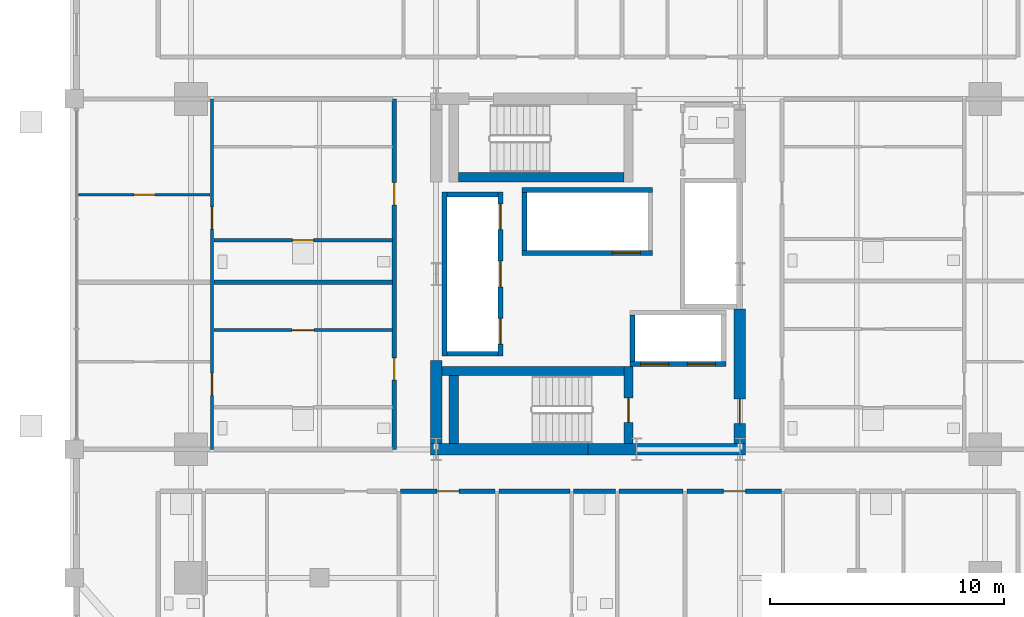
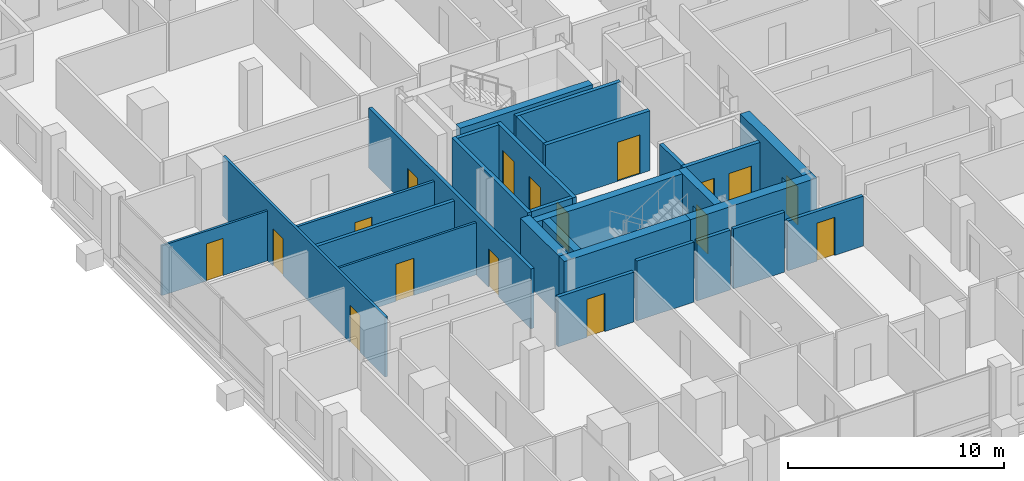
# One storey, part 18 of 24: 28 walls, 17 doors, 17 openings.
"""IFC4 building model written with IfcOpenShell, lengths in metres."""

from ifc_helpers import new_model, si_unit, direction, frame, frame_2d, origin, place, context, subcontext, project, spatial, rectangle, extrude, material, layer, layer_set, type_object, element, fill, save


model = new_model("IFC4")

# Units and contexts
model_context = context("Model", 3, precision=1e-05, world=origin(), true_north=direction((0.0, 1.0)))
body_context = subcontext(model_context, "Body", "Model", "MODEL_VIEW")
ifc_project = project(units=[si_unit("LENGTHUNIT", "METRE"), si_unit("AREAUNIT", "SQUARE_METRE"), si_unit("VOLUMEUNIT", "CUBIC_METRE"), si_unit("PLANEANGLEUNIT", "RADIAN"), si_unit("MASSUNIT", "GRAM", prefix="KILO")], contexts=[model_context])

# Site, building, storey
site_placement = place(None, origin())
site = spatial("IfcSite", under=ifc_project, at=site_placement, CompositionType="ELEMENT")
building_placement = place(site_placement, origin())
building = spatial("IfcBuilding", under=site, at=building_placement, Name="Barlavira Tower and Art Museum", CompositionType="ELEMENT")
storey_placement = place(building_placement, frame((0.0, 0.0, 32.39990234375)))
storey = spatial("IfcBuildingStorey", under=building, at=storey_placement, Name="L06", CompositionType="ELEMENT", Elevation=32.39990234375)

# Wall, opening, door
ifc_material_1 = material(Name="Gypsum acoustic stud partition", Category="gypsum")
ifc_layer_1 = layer(ifc_material_1, 0.1201171875, Name="Gypsum acoustic stud partition")
ifc_layer_set_1 = layer_set([ifc_layer_1], Name="Gypsum acoustic stud partition")
wall_type_1 = type_object("IfcWallType", Name="Apartment Internal Acoustic Partition 120", PredefinedType="PARTITIONING", material=ifc_layer_set_1)
wall_1_placement = place(storey_placement, frame((-16.02001953125, -2.39990234375, 0.0), z_axis=(0.0, 0.0, 1.0), x_axis=(1.0, 0.0, 0.0)))
wall_1 = element("IfcWall", 1, at=wall_1_placement, inside=storey, type_object=wall_type_1, Name="L06 Partition Wall 66", PredefinedType="PARTITIONING", context=body_context, shape_type="SweptSolid", body=[
    extrude(rectangle(XDim=7.64013671875, YDim=0.1201171875, at=frame_2d((3.820068359375, 0.0))), origin(), (0.0, 0.0, 1.0), 2.947998046875),
])
opening_1_placement = place(wall_1_placement, frame((3.344970703125, 0.0, 0.0)))
opening_1 = element("IfcOpeningElement", 2, at=opening_1_placement, cuts=wall_1, Name="Opening D-02", PredefinedType="OPENING", context=body_context, shape_type="SweptSolid", body=[
    extrude(rectangle(XDim=0.949951171875, YDim=2.10009765625, at=frame_2d((0.47509765625, 1.050048828125))), frame((0.0, 0.070068359375, 0.0), z_axis=(0.0, -1.0, 0.0), x_axis=(1.0, 0.0, 0.0)), (0.0, 0.0, 1.0), 0.14013671875),
])
ifc_material_2 = material(Name="Engineered coastal hardwood", Category="wood")
door_type_1 = type_object("IfcDoorType", Name="Living and Salon Glazed-Leaf Door 950x2100", OperationType="NOTDEFINED", PredefinedType="DOOR", material=ifc_material_2)
door_1_placement = place(opening_1_placement, origin())
door_1 = element("IfcDoor", 3, at=door_1_placement, inside=storey, type_object=door_type_1, Name="Apartment W1 Kitchen Door", OperationType="SINGLE_SWING_LEFT", OverallHeight=2.10009765625, OverallWidth=0.949951171875, PredefinedType="DOOR", context=body_context, shape_type="SweptSolid", body=[
    extrude(rectangle(XDim=0.949951171875, YDim=2.10009765625, at=frame_2d((0.47509765625, 1.050048828125))), frame((0.0, 0.02490234375, 0.0), z_axis=(0.0, -1.0, 0.0), x_axis=(1.0, 0.0, 0.0)), (0.0, 0.0, 1.0), 0.050048828125),
])
fill(opening_1, door_1)

wall_2_placement = place(storey_placement, frame((-21.820068359375, 3.39990234375, 0.0), z_axis=(0.0, 0.0, 1.0), x_axis=(1.0, 0.0, 0.0)))
wall_2 = element("IfcWall", 4, at=wall_2_placement, inside=storey, type_object=wall_type_1, Name="L06 Partition Wall 74", PredefinedType="PARTITIONING", context=body_context, shape_type="SweptSolid", body=[
    extrude(rectangle(XDim=5.64013671875, YDim=0.1201171875, at=frame_2d((2.820068359375, 0.0))), origin(), (0.0, 0.0, 1.0), 2.816162109375),
])
opening_2_placement = place(wall_2_placement, frame((2.3701171875, 0.0, 0.0)))
opening_2 = element("IfcOpeningElement", 5, at=opening_2_placement, cuts=wall_2, Name="Opening D-01", PredefinedType="OPENING", context=body_context, shape_type="SweptSolid", body=[
    extrude(rectangle(XDim=0.89990234375, YDim=2.10009765625, at=frame_2d((0.449951171875, 1.050048828125))), frame((0.0, 0.070068359375, 0.0), z_axis=(0.0, -1.0, 0.0), x_axis=(1.0, 0.0, 0.0)), (0.0, 0.0, 1.0), 0.14013671875),
])
door_type_2 = type_object("IfcDoorType", Name="Internal Bedroom Timber Flush Door 900x2100", OperationType="NOTDEFINED", PredefinedType="DOOR", material=ifc_material_2)
door_2_placement = place(opening_2_placement, origin())
door_2 = element("IfcDoor", 6, at=door_2_placement, inside=storey, type_object=door_type_2, Name="Apartment W2 Bedroom 1 Door", OperationType="SINGLE_SWING_RIGHT", OverallHeight=2.10009765625, OverallWidth=0.89990234375, PredefinedType="DOOR", context=body_context, shape_type="SweptSolid", body=[
    extrude(rectangle(XDim=0.89990234375, YDim=2.10009765625, at=frame_2d((0.449951171875, 1.050048828125))), frame((0.0, 0.02490234375, 0.0), z_axis=(0.0, -1.0, 0.0), x_axis=(1.0, 0.0, 0.0)), (0.0, 0.0, 1.0), 0.050048828125),
])
fill(opening_2, door_2)

# Walls
ifc_material_3 = material(Name="Concrete C60", Category="concrete")
ifc_layer_2 = layer(ifc_material_3, 0.5, Name="Concrete C60")
ifc_layer_set_2 = layer_set([ifc_layer_2], Name="Concrete C60")
wall_type_2 = type_object("IfcWallType", Name="Core Structural Shear Wall 500 Concrete C60", PredefinedType="SHEAR", material=ifc_layer_set_2)
for number, where, z_axis, x_axis, name in (
    (7, (-6.75, -7.5, 0.0), (0.0, 0.0, 1.0), (1.0, 0.0, 0.0), "L06 Core Shear Wall CS-SW"),
    (8, (0.0, -7.5, 0.0), (0.0, 0.0, 1.0), (1.0, 0.0, 0.0), "L06 Core Shear Wall CS-SE"),
):
    element("IfcWall", number, at=place(storey_placement, frame(where, z_axis=z_axis, x_axis=x_axis)), inside=storey, type_object=wall_type_2, Name=name, PredefinedType="SHEAR", context=body_context, shape_type="SweptSolid", body=[
        extrude(rectangle(XDim=6.75, YDim=0.5, at=frame_2d((3.375, 0.0))), origin(), (0.0, 0.0, 1.0), 3.380126953125),
    ])
wall_3_placement = place(storey_placement, frame((-6.5, -7.25, 0.0), z_axis=(0.0, 0.0, 1.0), x_axis=(0.0, 1.0, 0.0)))
element("IfcWall", 9, at=wall_3_placement, inside=storey, type_object=wall_type_2, Name="L06 Core Shear Wall CS-W1", PredefinedType="SHEAR", context=body_context, shape_type="SweptSolid", body=[
    extrude(rectangle(XDim=3.550048828125, YDim=0.5, at=frame_2d((1.77490234375, 0.0))), origin(), (0.0, 0.0, 1.0), 3.380126953125),
])

# Wall, opening, door
wall_4_placement = place(storey_placement, frame((6.5, -7.25, 0.0), z_axis=(0.0, 0.0, 1.0), x_axis=(0.0, 1.0, 0.0)))
wall_4 = element("IfcWall", 10, at=wall_4_placement, inside=storey, type_object=wall_type_2, Name="L06 Core Shear Wall CS-E1", PredefinedType="SHEAR", context=body_context, shape_type="SweptSolid", body=[
    extrude(rectangle(XDim=5.75, YDim=0.5, at=frame_2d((2.875, 0.0))), origin(), (0.0, 0.0, 1.0), 3.380126953125),
])
opening_3_placement = place(wall_4_placement, frame((0.85009765625, 0.0, 0.0)))
opening_3 = element("IfcOpeningElement", 11, at=opening_3_placement, cuts=wall_4, Name="Opening FD-90", PredefinedType="OPENING", context=body_context, shape_type="SweptSolid", body=[
    extrude(rectangle(XDim=1.050048828125, YDim=2.14990234375, at=frame_2d((0.52490234375, 1.074951171875))), frame((0.0, 0.260009765625, 0.0), z_axis=(0.0, -1.0, 0.0), x_axis=(1.0, 0.0, 0.0)), (0.0, 0.0, 1.0), 0.52001953125),
])
ifc_material_4 = material(Name="Brushed stainless steel", Category="steel")
door_type_3 = type_object("IfcDoorType", Name="Stair and Refuge Fire Door 1050x2150 FD90S", OperationType="NOTDEFINED", PredefinedType="DOOR", material=ifc_material_4)
door_3_placement = place(opening_3_placement, origin())
door_3 = element("IfcDoor", 12, at=door_3_placement, inside=storey, type_object=door_type_3, Name="L06 Firefighting Lobby Entry Fire Door", OperationType="SINGLE_SWING_LEFT", OverallHeight=2.14990234375, OverallWidth=1.050048828125, PredefinedType="DOOR", context=body_context, shape_type="SweptSolid", body=[
    extrude(rectangle(XDim=1.050048828125, YDim=2.14990234375, at=frame_2d((0.52490234375, 1.074951171875))), frame((0.0, 0.02490234375, 0.0), z_axis=(0.0, -1.0, 0.0), x_axis=(1.0, 0.0, 0.0)), (0.0, 0.0, 1.0), 0.050048828125),
])
fill(opening_3, door_3)

# Wall, openings, doors
ifc_material_5 = material(Name="Autoclaved aerated concrete masonry", Category="masonry")
ifc_layer_3 = layer(ifc_material_5, 0.199951171875, Name="Autoclaved aerated concrete masonry")
ifc_layer_set_3 = layer_set([ifc_layer_3], Name="Autoclaved aerated concrete masonry")
wall_type_3 = type_object("IfcWallType", Name="Fire Compartment and Shaft Wall 200", PredefinedType="SOLIDWALL", material=ifc_layer_set_3)
wall_5_placement = place(storey_placement, frame((-3.75, -3.510009765625, 0.0), z_axis=(0.0, 0.0, 1.0), x_axis=(0.0, 1.0, 0.0)))
wall_5 = element("IfcWall", 13, at=wall_5_placement, inside=storey, type_object=wall_type_3, Name="L06 Low-Rise Lift Front Shaft Wall", PredefinedType="SOLIDWALL", context=body_context, shape_type="SweptSolid", body=[
    extrude(rectangle(XDim=7.02001953125, YDim=0.199951171875, at=frame_2d((3.510009765625, 0.0))), origin(), (0.0, 0.0, 1.0), 3.380126953125),
])
opening_4_placement = place(wall_5_placement, frame((0.510009765625, 0.0, 0.0)))
opening_4 = element("IfcOpeningElement", 14, at=opening_4_placement, cuts=wall_5, Name="Opening LD-P", PredefinedType="OPENING", context=body_context, shape_type="SweptSolid", body=[
    extrude(rectangle(XDim=1.10009765625, YDim=2.14990234375, at=frame_2d((0.550048828125, 1.074951171875))), frame((0.0, 0.10986328125, 0.0), z_axis=(0.0, -1.0, 0.0), x_axis=(1.0, 0.0, 0.0)), (0.0, 0.0, 1.0), 0.219970703125),
])
opening_5_placement = place(wall_5_placement, frame((2.9599609375, 0.0, 0.0)))
opening_5 = element("IfcOpeningElement", 15, at=opening_5_placement, cuts=wall_5, Name="Opening LD-P", PredefinedType="OPENING", context=body_context, shape_type="SweptSolid", body=[
    extrude(rectangle(XDim=1.10009765625, YDim=2.14990234375, at=frame_2d((0.550048828125, 1.074951171875))), frame((0.0, 0.10986328125, 0.0), z_axis=(0.0, -1.0, 0.0), x_axis=(1.0, 0.0, 0.0)), (0.0, 0.0, 1.0), 0.219970703125),
])
opening_6_placement = place(wall_5_placement, frame((5.409912109375, 0.0, 0.0)))
opening_6 = element("IfcOpeningElement", 16, at=opening_6_placement, cuts=wall_5, Name="Opening LD-P", PredefinedType="OPENING", context=body_context, shape_type="SweptSolid", body=[
    extrude(rectangle(XDim=1.10009765625, YDim=2.14990234375, at=frame_2d((0.550048828125, 1.074951171875))), frame((0.0, 0.10986328125, 0.0), z_axis=(0.0, -1.0, 0.0), x_axis=(1.0, 0.0, 0.0)), (0.0, 0.0, 1.0), 0.219970703125),
])
door_type_4 = type_object("IfcDoorType", Name="Passenger Lift Sliding Landing Door 1100x2150 FD60", OperationType="NOTDEFINED", PredefinedType="DOOR", material=ifc_material_4)
door_4_placement = place(opening_4_placement, origin())
door_4 = element("IfcDoor", 17, at=door_4_placement, inside=storey, type_object=door_type_4, Name="L06 Lift PL1 Sliding Landing Door", OperationType="DOUBLE_DOOR_SLIDING", OverallHeight=2.14990234375, OverallWidth=1.10009765625, PredefinedType="DOOR", context=body_context, shape_type="SweptSolid", body=[
    extrude(rectangle(XDim=1.10009765625, YDim=2.14990234375, at=frame_2d((0.550048828125, 1.074951171875))), frame((0.0, 0.02490234375, 0.0), z_axis=(0.0, -1.0, 0.0), x_axis=(1.0, 0.0, 0.0)), (0.0, 0.0, 1.0), 0.050048828125),
])
fill(opening_4, door_4)
door_5_placement = place(opening_5_placement, origin())
door_5 = element("IfcDoor", 18, at=door_5_placement, inside=storey, type_object=door_type_4, Name="L06 Lift PL2 Sliding Landing Door", OperationType="DOUBLE_DOOR_SLIDING", OverallHeight=2.14990234375, OverallWidth=1.10009765625, PredefinedType="DOOR", context=body_context, shape_type="SweptSolid", body=[
    extrude(rectangle(XDim=1.10009765625, YDim=2.14990234375, at=frame_2d((0.550048828125, 1.074951171875))), frame((0.0, 0.02490234375, 0.0), z_axis=(0.0, -1.0, 0.0), x_axis=(1.0, 0.0, 0.0)), (0.0, 0.0, 1.0), 0.050048828125),
])
fill(opening_5, door_5)
door_6_placement = place(opening_6_placement, origin())
door_6 = element("IfcDoor", 19, at=door_6_placement, inside=storey, type_object=door_type_4, Name="L06 Lift PL3 Sliding Landing Door", OperationType="DOUBLE_DOOR_SLIDING", OverallHeight=2.14990234375, OverallWidth=1.10009765625, PredefinedType="DOOR", context=body_context, shape_type="SweptSolid", body=[
    extrude(rectangle(XDim=1.10009765625, YDim=2.14990234375, at=frame_2d((0.550048828125, 1.074951171875))), frame((0.0, 0.02490234375, 0.0), z_axis=(0.0, -1.0, 0.0), x_axis=(1.0, 0.0, 0.0)), (0.0, 0.0, 1.0), 0.050048828125),
])
fill(opening_6, door_6)

# Walls
wall_6_placement = place(storey_placement, frame((-6.14990234375, -3.510009765625, 0.0), z_axis=(0.0, 0.0, 1.0), x_axis=(0.0, 1.0, 0.0)))
element("IfcWall", 20, at=wall_6_placement, inside=storey, type_object=wall_type_3, Name="L06 Low-Rise Lift Back Shaft Wall", PredefinedType="SOLIDWALL", context=body_context, shape_type="SweptSolid", body=[
    extrude(rectangle(XDim=7.02001953125, YDim=0.199951171875, at=frame_2d((3.510009765625, 0.0))), origin(), (0.0, 0.0, 1.0), 3.380126953125),
])
for number, where, z_axis, x_axis, name in (
    (21, (-6.050048828125, -3.409912109375, 0.0), (0.0, 0.0, 1.0), (1.0, 0.0, 0.0), "L06 Low-Rise Lift South Shaft Wall"),
    (22, (-6.050048828125, 3.409912109375, 0.0), (0.0, 0.0, 1.0), (1.0, 0.0, 0.0), "L06 Low-Rise Lift North Shaft Wall"),
):
    element("IfcWall", number, at=place(storey_placement, frame(where, z_axis=z_axis, x_axis=x_axis)), inside=storey, type_object=wall_type_3, Name=name, PredefinedType="SOLIDWALL", context=body_context, shape_type="SweptSolid", body=[
        extrude(rectangle(XDim=2.199951171875, YDim=0.199951171875, at=frame_2d((1.10009765625, 0.0))), origin(), (0.0, 0.0, 1.0), 3.380126953125),
    ])

# Wall, opening, door
wall_7_placement = place(storey_placement, frame((-2.820068359375, 0.89990234375, 0.0), z_axis=(0.0, 0.0, 1.0), x_axis=(1.0, 0.0, 0.0)))
wall_7 = element("IfcWall", 23, at=wall_7_placement, inside=storey, type_object=wall_type_3, Name="L06 High-Rise & Service Lift Front Wall", PredefinedType="SOLIDWALL", context=body_context, shape_type="SweptSolid", body=[
    extrude(rectangle(XDim=5.580078125, YDim=0.199951171875, at=frame_2d((2.7900390625, 0.0))), origin(), (0.0, 0.0, 1.0), 3.380126953125),
])
opening_7_placement = place(wall_7_placement, frame((3.860107421875, 0.0, 0.0)))
opening_7 = element("IfcOpeningElement", 24, at=opening_7_placement, cuts=wall_7, Name="Opening LD-F", PredefinedType="OPENING", context=body_context, shape_type="SweptSolid", body=[
    extrude(rectangle(XDim=1.199951171875, YDim=2.199951171875, at=frame_2d((0.60009765625, 1.10009765625))), frame((0.0, 0.10986328125, 0.0), z_axis=(0.0, -1.0, 0.0), x_axis=(1.0, 0.0, 0.0)), (0.0, 0.0, 1.0), 0.219970703125),
])
door_type_5 = type_object("IfcDoorType", Name="Firefighting and Service Lift Sliding Door 1200x2200 FD120", OperationType="NOTDEFINED", PredefinedType="DOOR", material=ifc_material_4)
door_7_placement = place(opening_7_placement, origin())
door_7 = element("IfcDoor", 25, at=door_7_placement, inside=storey, type_object=door_type_5, Name="L06 Stretcher Service Lift SL1 Sliding Door", OperationType="DOUBLE_DOOR_SLIDING", OverallHeight=2.199951171875, OverallWidth=1.199951171875, PredefinedType="DOOR", context=body_context, shape_type="SweptSolid", body=[
    extrude(rectangle(XDim=1.199951171875, YDim=2.199951171875, at=frame_2d((0.60009765625, 1.10009765625))), frame((0.0, 0.02490234375, 0.0), z_axis=(0.0, -1.0, 0.0), x_axis=(1.0, 0.0, 0.0)), (0.0, 0.0, 1.0), 0.050048828125),
])
fill(opening_7, door_7)

# Walls
wall_8_placement = place(storey_placement, frame((-2.820068359375, 3.60009765625, 0.0), z_axis=(0.0, 0.0, 1.0), x_axis=(1.0, 0.0, 0.0)))
element("IfcWall", 26, at=wall_8_placement, inside=storey, type_object=wall_type_3, Name="L06 High-Rise & Service Lift Back Wall", PredefinedType="SOLIDWALL", context=body_context, shape_type="SweptSolid", body=[
    extrude(rectangle(XDim=5.580078125, YDim=0.199951171875, at=frame_2d((2.7900390625, 0.0))), origin(), (0.0, 0.0, 1.0), 3.380126953125),
])
wall_9_placement = place(storey_placement, frame((-2.719970703125, 1.0, 0.0), z_axis=(0.0, 0.0, 1.0), x_axis=(0.0, 1.0, 0.0)))
element("IfcWall", 27, at=wall_9_placement, inside=storey, type_object=wall_type_3, Name="L06 High-Rise & Service Lift West Wall", PredefinedType="SOLIDWALL", context=body_context, shape_type="SweptSolid", body=[
    extrude(rectangle(XDim=2.5, YDim=0.199951171875, at=frame_2d((1.25, 0.0))), origin(), (0.0, 0.0, 1.0), 3.380126953125),
])

# Wall, openings, doors
wall_10_placement = place(storey_placement, frame((1.800048828125, -3.85009765625, 0.0), z_axis=(0.0, 0.0, 1.0), x_axis=(1.0, 0.0, 0.0)))
wall_10 = element("IfcWall", 28, at=wall_10_placement, inside=storey, type_object=wall_type_3, Name="L06 Firefighting Lift Front Shaft Wall", PredefinedType="SOLIDWALL", context=body_context, shape_type="SweptSolid", body=[
    extrude(rectangle(XDim=4.099853515625, YDim=0.199951171875, at=frame_2d((2.0498046875, 0.0))), origin(), (0.0, 0.0, 1.0), 3.380126953125),
])
opening_8_placement = place(wall_10_placement, frame((0.449951171875, 0.0, 0.0)))
opening_8 = element("IfcOpeningElement", 29, at=opening_8_placement, cuts=wall_10, Name="Opening LD-F", PredefinedType="OPENING", context=body_context, shape_type="SweptSolid", body=[
    extrude(rectangle(XDim=1.199951171875, YDim=2.199951171875, at=frame_2d((0.60009765625, 1.10009765625))), frame((0.0, 0.10986328125, 0.0), z_axis=(0.0, -1.0, 0.0), x_axis=(1.0, 0.0, 0.0)), (0.0, 0.0, 1.0), 0.219970703125),
])
opening_9_placement = place(wall_10_placement, frame((2.449951171875, 0.0, 0.0)))
opening_9 = element("IfcOpeningElement", 30, at=opening_9_placement, cuts=wall_10, Name="Opening LD-F", PredefinedType="OPENING", context=body_context, shape_type="SweptSolid", body=[
    extrude(rectangle(XDim=1.199951171875, YDim=2.199951171875, at=frame_2d((0.60009765625, 1.10009765625))), frame((0.0, 0.10986328125, 0.0), z_axis=(0.0, -1.0, 0.0), x_axis=(1.0, 0.0, 0.0)), (0.0, 0.0, 1.0), 0.219970703125),
])
door_8_placement = place(opening_8_placement, origin())
door_8 = element("IfcDoor", 31, at=door_8_placement, inside=storey, type_object=door_type_5, Name="L06 Firefighting Lift FF1 Sliding Door", OperationType="DOUBLE_DOOR_SLIDING", OverallHeight=2.199951171875, OverallWidth=1.199951171875, PredefinedType="DOOR", context=body_context, shape_type="SweptSolid", body=[
    extrude(rectangle(XDim=1.199951171875, YDim=2.199951171875, at=frame_2d((0.60009765625, 1.10009765625))), frame((0.0, 0.02490234375, 0.0), z_axis=(0.0, -1.0, 0.0), x_axis=(1.0, 0.0, 0.0)), (0.0, 0.0, 1.0), 0.050048828125),
])
fill(opening_8, door_8)
door_9_placement = place(opening_9_placement, origin())
door_9 = element("IfcDoor", 32, at=door_9_placement, inside=storey, type_object=door_type_5, Name="L06 Firefighting Lift FF2 Sliding Door", OperationType="DOUBLE_DOOR_SLIDING", OverallHeight=2.199951171875, OverallWidth=1.199951171875, PredefinedType="DOOR", context=body_context, shape_type="SweptSolid", body=[
    extrude(rectangle(XDim=1.199951171875, YDim=2.199951171875, at=frame_2d((0.60009765625, 1.10009765625))), frame((0.0, 0.02490234375, 0.0), z_axis=(0.0, -1.0, 0.0), x_axis=(1.0, 0.0, 0.0)), (0.0, 0.0, 1.0), 0.050048828125),
])
fill(opening_9, door_9)

# Wall
wall_11_placement = place(storey_placement, frame((1.89990234375, -3.75, 0.0), z_axis=(0.0, 0.0, 1.0), x_axis=(0.0, 1.0, 0.0)))
element("IfcWall", 33, at=wall_11_placement, inside=storey, type_object=wall_type_3, Name="L06 Firefighting Lift West Shaft Wall", PredefinedType="SOLIDWALL", context=body_context, shape_type="SweptSolid", body=[
    extrude(rectangle(XDim=2.0, YDim=0.199951171875, at=frame_2d((1.0, 0.0))), origin(), (0.0, 0.0, 1.0), 3.380126953125),
])

# Wall, openings, doors
ifc_layer_4 = layer(ifc_material_1, 0.179931640625, Name="Gypsum acoustic stud partition")
ifc_layer_set_4 = layer_set([ifc_layer_4], Name="Gypsum acoustic stud partition")
wall_type_4 = type_object("IfcWallType", Name="Inter-Tenancy Party Partition Wall 180", PredefinedType="PARTITIONING", material=ifc_layer_set_4)
wall_12_placement = place(storey_placement, frame((-8.300048828125, -7.5, 0.0), z_axis=(0.0, 0.0, 1.0), x_axis=(0.0, 1.0, 0.0)))
wall_12 = element("IfcWall", 34, at=wall_12_placement, inside=storey, type_object=wall_type_4, Name="L06 Partition Wall 9", PredefinedType="PARTITIONING", context=body_context, shape_type="SweptSolid", body=[
    extrude(rectangle(XDim=15.0, YDim=0.179931640625, at=frame_2d((7.5, 0.0))), origin(), (0.0, 0.0, 1.0), 3.380126953125),
])
opening_10_placement = place(wall_12_placement, frame((2.965087890625, 0.0, 0.0)))
opening_10 = element("IfcOpeningElement", 35, at=opening_10_placement, cuts=wall_12, Name="Opening FD-60", PredefinedType="OPENING", context=body_context, shape_type="SweptSolid", body=[
    extrude(rectangle(XDim=0.949951171875, YDim=2.14990234375, at=frame_2d((0.47509765625, 1.074951171875))), frame((0.0, 0.10009765625, 0.0), z_axis=(0.0, -1.0, 0.0), x_axis=(1.0, 0.0, 0.0)), (0.0, 0.0, 1.0), 0.199951171875),
])
opening_11_placement = place(wall_12_placement, frame((10.465087890625, 0.0, 0.0)))
opening_11 = element("IfcOpeningElement", 36, at=opening_11_placement, cuts=wall_12, Name="Opening FD-60", PredefinedType="OPENING", context=body_context, shape_type="SweptSolid", body=[
    extrude(rectangle(XDim=0.949951171875, YDim=2.14990234375, at=frame_2d((0.47509765625, 1.074951171875))), frame((0.0, 0.10009765625, 0.0), z_axis=(0.0, -1.0, 0.0), x_axis=(1.0, 0.0, 0.0)), (0.0, 0.0, 1.0), 0.199951171875),
])
door_type_6 = type_object("IfcDoorType", Name="Apartment Entrance and Riser Fire Door 950x2150 FD60S", OperationType="NOTDEFINED", PredefinedType="DOOR", material=ifc_material_4)
door_10_placement = place(opening_10_placement, origin())
door_10 = element("IfcDoor", 37, at=door_10_placement, inside=storey, type_object=door_type_6, Name="Apartment Entrance Hall W1 Door", OperationType="SINGLE_SWING_RIGHT", OverallHeight=2.14990234375, OverallWidth=0.949951171875, PredefinedType="DOOR", context=body_context, shape_type="SweptSolid", body=[
    extrude(rectangle(XDim=0.949951171875, YDim=2.14990234375, at=frame_2d((0.47509765625, 1.074951171875))), frame((0.0, 0.02490234375, 0.0), z_axis=(0.0, -1.0, 0.0), x_axis=(1.0, 0.0, 0.0)), (0.0, 0.0, 1.0), 0.050048828125),
])
fill(opening_10, door_10)
door_11_placement = place(opening_11_placement, origin())
door_11 = element("IfcDoor", 38, at=door_11_placement, inside=storey, type_object=door_type_6, Name="Apartment Entrance Hall W2 Door", OperationType="SINGLE_SWING_LEFT", OverallHeight=2.14990234375, OverallWidth=0.949951171875, PredefinedType="DOOR", context=body_context, shape_type="SweptSolid", body=[
    extrude(rectangle(XDim=0.949951171875, YDim=2.14990234375, at=frame_2d((0.47509765625, 1.074951171875))), frame((0.0, 0.02490234375, 0.0), z_axis=(0.0, -1.0, 0.0), x_axis=(1.0, 0.0, 0.0)), (0.0, 0.0, 1.0), 0.050048828125),
])
fill(opening_11, door_11)

# Wall, opening, door
wall_13_placement = place(storey_placement, frame((-8.02001953125, -9.300048828125, 0.0), z_axis=(0.0, 0.0, 1.0), x_axis=(1.0, 0.0, 0.0)))
wall_13 = element("IfcWall", 39, at=wall_13_placement, inside=storey, type_object=wall_type_4, Name="L06 Partition Wall 50", PredefinedType="PARTITIONING", context=body_context, shape_type="SweptSolid", body=[
    extrude(rectangle(XDim=4.0400390625, YDim=0.179931640625, at=frame_2d((2.02001953125, 0.0))), origin(), (0.0, 0.0, 1.0), 2.816162109375),
])
opening_12_placement = place(wall_13_placement, frame((1.544921875, 0.0, 0.0)))
opening_12 = element("IfcOpeningElement", 40, at=opening_12_placement, cuts=wall_13, Name="Opening FD-60", PredefinedType="OPENING", context=body_context, shape_type="SweptSolid", body=[
    extrude(rectangle(XDim=0.949951171875, YDim=2.14990234375, at=frame_2d((0.47509765625, 1.074951171875))), frame((0.0, 0.10009765625, 0.0), z_axis=(0.0, -1.0, 0.0), x_axis=(1.0, 0.0, 0.0)), (0.0, 0.0, 1.0), 0.199951171875),
])
door_12_placement = place(opening_12_placement, origin())
door_12 = element("IfcDoor", 41, at=door_12_placement, inside=storey, type_object=door_type_6, Name="Apartment Entrance Hall S2 Door", OperationType="SINGLE_SWING_LEFT", OverallHeight=2.14990234375, OverallWidth=0.949951171875, PredefinedType="DOOR", context=body_context, shape_type="SweptSolid", body=[
    extrude(rectangle(XDim=0.949951171875, YDim=2.14990234375, at=frame_2d((0.47509765625, 1.074951171875))), frame((0.0, 0.02490234375, 0.0), z_axis=(0.0, -1.0, 0.0), x_axis=(1.0, 0.0, 0.0)), (0.0, 0.0, 1.0), 0.050048828125),
])
fill(opening_12, door_12)

# Walls
wall_14_placement = place(storey_placement, frame((-3.820068359375, -9.300048828125, 0.0), z_axis=(0.0, 0.0, 1.0), x_axis=(1.0, 0.0, 0.0)))
element("IfcWall", 42, at=wall_14_placement, inside=storey, type_object=wall_type_4, Name="L06 Partition Wall 51", PredefinedType="PARTITIONING", context=body_context, shape_type="SweptSolid", body=[
    extrude(rectangle(XDim=3.0400390625, YDim=0.179931640625, at=frame_2d((1.52001953125, 0.0))), origin(), (0.0, 0.0, 1.0), 3.380126953125),
])
wall_15_placement = place(storey_placement, frame((-0.6201171875, -9.300048828125, 0.0), z_axis=(0.0, 0.0, 1.0), x_axis=(1.0, 0.0, 0.0)))
element("IfcWall", 43, at=wall_15_placement, inside=storey, type_object=wall_type_4, Name="L06 Partition Wall 52", PredefinedType="PARTITIONING", context=body_context, shape_type="SweptSolid", body=[
    extrude(rectangle(XDim=1.7900390625, YDim=0.179931640625, at=frame_2d((0.89501953125, 0.0))), origin(), (0.0, 0.0, 1.0), 3.380126953125),
])
wall_16_placement = place(storey_placement, frame((1.330078125, -9.300048828125, 0.0), z_axis=(0.0, 0.0, 1.0), x_axis=(1.0, 0.0, 0.0)))
element("IfcWall", 44, at=wall_16_placement, inside=storey, type_object=wall_type_4, Name="L06 Partition Wall 53", PredefinedType="PARTITIONING", context=body_context, shape_type="SweptSolid", body=[
    extrude(rectangle(XDim=2.739990234375, YDim=0.179931640625, at=frame_2d((1.3701171875, 0.0))), origin(), (0.0, 0.0, 1.0), 3.380126953125),
])

# Wall, opening, door
wall_17_placement = place(storey_placement, frame((4.22998046875, -9.300048828125, 0.0), z_axis=(0.0, 0.0, 1.0), x_axis=(1.0, 0.0, 0.0)))
wall_17 = element("IfcWall", 45, at=wall_17_placement, inside=storey, type_object=wall_type_4, Name="L06 Partition Wall 54", PredefinedType="PARTITIONING", context=body_context, shape_type="SweptSolid", body=[
    extrude(rectangle(XDim=4.0400390625, YDim=0.179931640625, at=frame_2d((2.02001953125, 0.0))), origin(), (0.0, 0.0, 1.0), 2.816162109375),
])
opening_13_placement = place(wall_17_placement, frame((1.56494140625, 0.0, 0.0)))
opening_13 = element("IfcOpeningElement", 46, at=opening_13_placement, cuts=wall_17, Name="Opening FD-60", PredefinedType="OPENING", context=body_context, shape_type="SweptSolid", body=[
    extrude(rectangle(XDim=0.949951171875, YDim=2.14990234375, at=frame_2d((0.47509765625, 1.074951171875))), frame((0.0, 0.10009765625, 0.0), z_axis=(0.0, -1.0, 0.0), x_axis=(1.0, 0.0, 0.0)), (0.0, 0.0, 1.0), 0.199951171875),
])
door_13_placement = place(opening_13_placement, origin())
door_13 = element("IfcDoor", 47, at=door_13_placement, inside=storey, type_object=door_type_6, Name="Apartment Entrance Hall S3 Door", OperationType="SINGLE_SWING_RIGHT", OverallHeight=2.14990234375, OverallWidth=0.949951171875, PredefinedType="DOOR", context=body_context, shape_type="SweptSolid", body=[
    extrude(rectangle(XDim=0.949951171875, YDim=2.14990234375, at=frame_2d((0.47509765625, 1.074951171875))), frame((0.0, 0.02490234375, 0.0), z_axis=(0.0, -1.0, 0.0), x_axis=(1.0, 0.0, 0.0)), (0.0, 0.0, 1.0), 0.050048828125),
])
fill(opening_13, door_13)

# Wall
wall_18_placement = place(storey_placement, frame((-16.02001953125, -0.35009765625, 0.0), z_axis=(0.0, 0.0, 1.0), x_axis=(1.0, 0.0, 0.0)))
element("IfcWall", 48, at=wall_18_placement, inside=storey, type_object=wall_type_4, Name="L06 Partition Wall 69", PredefinedType="PARTITIONING", context=body_context, shape_type="SweptSolid", body=[
    extrude(rectangle(XDim=7.64013671875, YDim=0.179931640625, at=frame_2d((3.820068359375, 0.0))), origin(), (0.0, 0.0, 1.0), 2.947998046875),
])

# Wall, openings, doors
ifc_layer_5 = layer(ifc_material_1, 0.139892578125, Name="Gypsum acoustic stud partition")
ifc_layer_set_5 = layer_set([ifc_layer_5], Name="Gypsum acoustic stud partition")
wall_type_5 = type_object("IfcWallType", Name="Moisture-Resistant Bathroom Partition 140", PredefinedType="PARTITIONING", material=ifc_layer_set_5)
wall_19_placement = place(storey_placement, frame((-16.10009765625, -7.5, 0.0), z_axis=(0.0, 0.0, 1.0), x_axis=(0.0, 1.0, 0.0)))
wall_19 = element("IfcWall", 49, at=wall_19_placement, inside=storey, type_object=wall_type_5, Name="L06 Partition Wall 4", PredefinedType="PARTITIONING", context=body_context, shape_type="SweptSolid", body=[
    extrude(rectangle(XDim=15.0, YDim=0.139892578125, at=frame_2d((7.5, 0.0))), origin(), (0.0, 0.0, 1.0), 3.380126953125),
])
opening_14_placement = place(wall_19_placement, frame((2.304931640625, 0.0, 0.0)))
opening_14 = element("IfcOpeningElement", 50, at=opening_14_placement, cuts=wall_19, Name="Opening D-02", PredefinedType="OPENING", context=body_context, shape_type="SweptSolid", body=[
    extrude(rectangle(XDim=0.949951171875, YDim=2.10009765625, at=frame_2d((0.47509765625, 1.050048828125))), frame((0.0, 0.080078125, 0.0), z_axis=(0.0, -1.0, 0.0), x_axis=(1.0, 0.0, 0.0)), (0.0, 0.0, 1.0), 0.159912109375),
])
opening_15_placement = place(wall_19_placement, frame((9.425048828125, 0.0, 0.0)))
opening_15 = element("IfcOpeningElement", 51, at=opening_15_placement, cuts=wall_19, Name="Opening D-02", PredefinedType="OPENING", context=body_context, shape_type="SweptSolid", body=[
    extrude(rectangle(XDim=0.949951171875, YDim=2.10009765625, at=frame_2d((0.47509765625, 1.050048828125))), frame((0.0, 0.080078125, 0.0), z_axis=(0.0, -1.0, 0.0), x_axis=(1.0, 0.0, 0.0)), (0.0, 0.0, 1.0), 0.159912109375),
])
door_14_placement = place(opening_14_placement, origin())
door_14 = element("IfcDoor", 52, at=door_14_placement, inside=storey, type_object=door_type_1, Name="Apartment W1 Living Lounge Door", OperationType="SINGLE_SWING_RIGHT", OverallHeight=2.10009765625, OverallWidth=0.949951171875, PredefinedType="DOOR", context=body_context, shape_type="SweptSolid", body=[
    extrude(rectangle(XDim=0.949951171875, YDim=2.10009765625, at=frame_2d((0.47509765625, 1.050048828125))), frame((0.0, 0.02490234375, 0.0), z_axis=(0.0, -1.0, 0.0), x_axis=(1.0, 0.0, 0.0)), (0.0, 0.0, 1.0), 0.050048828125),
])
fill(opening_14, door_14)
door_15_placement = place(opening_15_placement, origin())
door_15 = element("IfcDoor", 53, at=door_15_placement, inside=storey, type_object=door_type_1, Name="Apartment W2 Living Lounge Door", OperationType="SINGLE_SWING_LEFT", OverallHeight=2.10009765625, OverallWidth=0.949951171875, PredefinedType="DOOR", context=body_context, shape_type="SweptSolid", body=[
    extrude(rectangle(XDim=0.949951171875, YDim=2.10009765625, at=frame_2d((0.47509765625, 1.050048828125))), frame((0.0, 0.02490234375, 0.0), z_axis=(0.0, -1.0, 0.0), x_axis=(1.0, 0.0, 0.0)), (0.0, 0.0, 1.0), 0.050048828125),
])
fill(opening_15, door_15)

# Wall, opening, door
wall_20_placement = place(storey_placement, frame((-16.02001953125, 1.449951171875, 0.0), z_axis=(0.0, 0.0, 1.0), x_axis=(1.0, 0.0, 0.0)))
wall_20 = element("IfcWall", 54, at=wall_20_placement, inside=storey, type_object=wall_type_5, Name="L06 Partition Wall 72", PredefinedType="PARTITIONING", context=body_context, shape_type="SweptSolid", body=[
    extrude(rectangle(XDim=7.64013671875, YDim=0.139892578125, at=frame_2d((3.820068359375, 0.0))), origin(), (0.0, 0.0, 1.0), 2.947998046875),
])
opening_16_placement = place(wall_20_placement, frame((3.3701171875, 0.0, 0.0)))
opening_16 = element("IfcOpeningElement", 55, at=opening_16_placement, cuts=wall_20, Name="Opening D-WC", PredefinedType="OPENING", context=body_context, shape_type="SweptSolid", body=[
    extrude(rectangle(XDim=0.89990234375, YDim=2.10009765625, at=frame_2d((0.449951171875, 1.050048828125))), frame((0.0, 0.080078125, 0.0), z_axis=(0.0, -1.0, 0.0), x_axis=(1.0, 0.0, 0.0)), (0.0, 0.0, 1.0), 0.159912109375),
])
door_type_7 = type_object("IfcDoorType", Name="Accessible Bathroom Flush Door 900x2100", OperationType="NOTDEFINED", PredefinedType="DOOR", material=ifc_material_2)
door_16_placement = place(opening_16_placement, origin())
door_16 = element("IfcDoor", 56, at=door_16_placement, inside=storey, type_object=door_type_7, Name="Apartment W2 Hall Bathroom Door", OperationType="SINGLE_SWING_RIGHT", OverallHeight=2.10009765625, OverallWidth=0.89990234375, PredefinedType="DOOR", context=body_context, shape_type="SweptSolid", body=[
    extrude(rectangle(XDim=0.89990234375, YDim=2.10009765625, at=frame_2d((0.449951171875, 1.050048828125))), frame((0.0, 0.02490234375, 0.0), z_axis=(0.0, -1.0, 0.0), x_axis=(1.0, 0.0, 0.0)), (0.0, 0.0, 1.0), 0.050048828125),
])
fill(opening_16, door_16)

# Walls
ifc_material_6 = material(Name="Concrete C55", Category="concrete")
ifc_layer_6 = layer(ifc_material_6, 0.39990234375, Name="Concrete C55")
ifc_layer_set_6 = layer_set([ifc_layer_6], Name="Concrete C55")
wall_type_6 = type_object("IfcWallType", Name="Upper Core Shear Wall 400 Concrete C55", PredefinedType="SHEAR", material=ifc_layer_set_6)
wall_21_placement = place(storey_placement, frame((-5.75, -7.25, 0.0), z_axis=(0.0, 0.0, 1.0), x_axis=(0.0, 1.0, 0.0)))
element("IfcWall", 57, at=wall_21_placement, inside=storey, type_object=wall_type_6, Name="L06 ST-T1 West Half-Landing Wall", PredefinedType="SHEAR", context=body_context, shape_type="SweptSolid", body=[
    extrude(rectangle(XDim=2.89990234375, YDim=0.39990234375, at=frame_2d((1.449951171875, 0.0))), origin(), (0.0, 0.0, 1.0), 3.380126953125),
])
wall_22_placement = place(storey_placement, frame((-6.25, -4.14990234375, 0.0), z_axis=(0.0, 0.0, 1.0), x_axis=(1.0, 0.0, 0.0)))
element("IfcWall", 58, at=wall_22_placement, inside=storey, type_object=wall_type_6, Name="L06 ST-T1 North Shaft Wall", PredefinedType="SHEAR", context=body_context, shape_type="SweptSolid", body=[
    extrude(rectangle(XDim=7.780029296875, YDim=0.39990234375, at=frame_2d((3.89013671875, 0.0))), origin(), (0.0, 0.0, 1.0), 3.380126953125),
])

# Wall, opening, door
wall_23_placement = place(storey_placement, frame((1.72998046875, -7.25, 0.0), z_axis=(0.0, 0.0, 1.0), x_axis=(0.0, 1.0, 0.0)))
wall_23 = element("IfcWall", 59, at=wall_23_placement, inside=storey, type_object=wall_type_6, Name="L06 ST-T1 East Landing Wall", PredefinedType="SHEAR", context=body_context, shape_type="SweptSolid", body=[
    extrude(rectangle(XDim=3.300048828125, YDim=0.39990234375, at=frame_2d((1.64990234375, 0.0))), origin(), (0.0, 0.0, 1.0), 3.380126953125),
])
opening_17_placement = place(wall_23_placement, frame((0.89990234375, 0.0, 0.0)))
opening_17 = element("IfcOpeningElement", 60, at=opening_17_placement, cuts=wall_23, Name="Opening FD-90", PredefinedType="OPENING", context=body_context, shape_type="SweptSolid", body=[
    extrude(rectangle(XDim=1.050048828125, YDim=2.14990234375, at=frame_2d((0.52490234375, 1.074951171875))), frame((0.0, 0.2099609375, 0.0), z_axis=(0.0, -1.0, 0.0), x_axis=(1.0, 0.0, 0.0)), (0.0, 0.0, 1.0), 0.419921875),
])
door_17_placement = place(opening_17_placement, origin())
door_17 = element("IfcDoor", 61, at=door_17_placement, inside=storey, type_object=door_type_3, Name="L06 Stair ST-T1 Fire Door", OperationType="SINGLE_SWING_RIGHT", OverallHeight=2.14990234375, OverallWidth=1.050048828125, PredefinedType="DOOR", context=body_context, shape_type="SweptSolid", body=[
    extrude(rectangle(XDim=1.050048828125, YDim=2.14990234375, at=frame_2d((0.52490234375, 1.074951171875))), frame((0.0, 0.02490234375, 0.0), z_axis=(0.0, -1.0, 0.0), x_axis=(1.0, 0.0, 0.0)), (0.0, 0.0, 1.0), 0.050048828125),
])
fill(opening_17, door_17)

# Wall
wall_24_placement = place(storey_placement, frame((-5.550048828125, 4.14990234375, 0.0), z_axis=(0.0, 0.0, 1.0), x_axis=(1.0, 0.0, 0.0)))
element("IfcWall", 62, at=wall_24_placement, inside=storey, type_object=wall_type_6, Name="L06 ST-T2 South Shaft Wall", PredefinedType="SHEAR", context=body_context, shape_type="SweptSolid", body=[
    extrude(rectangle(XDim=7.080078125, YDim=0.39990234375, at=frame_2d((3.5400390625, 0.0))), origin(), (0.0, 0.0, 1.0), 3.380126953125),
])

save(model, "model.ifc")
